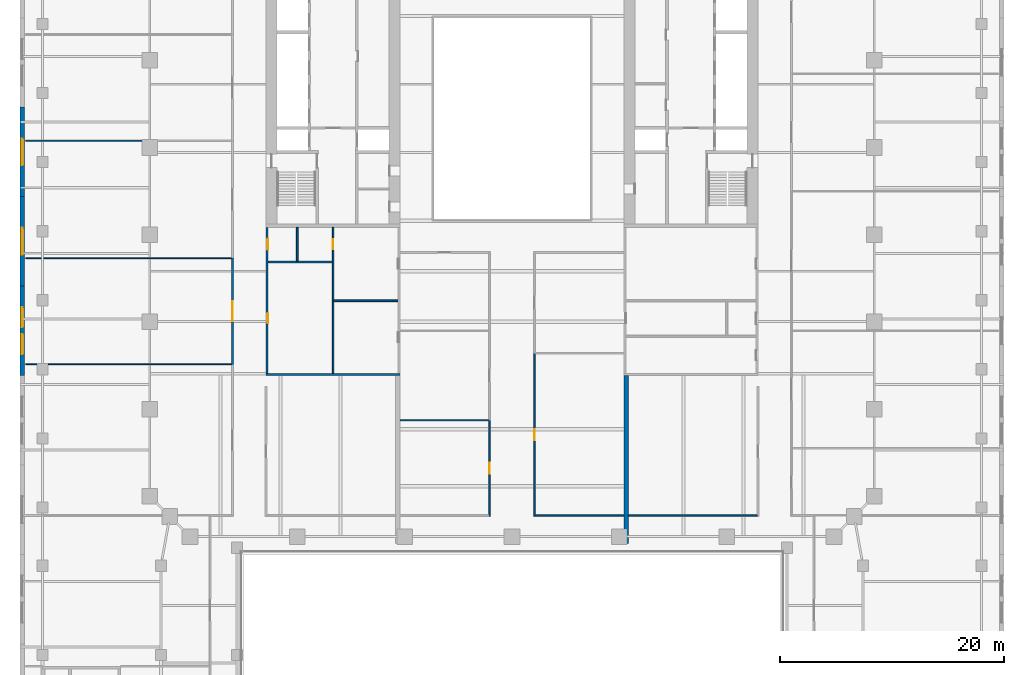
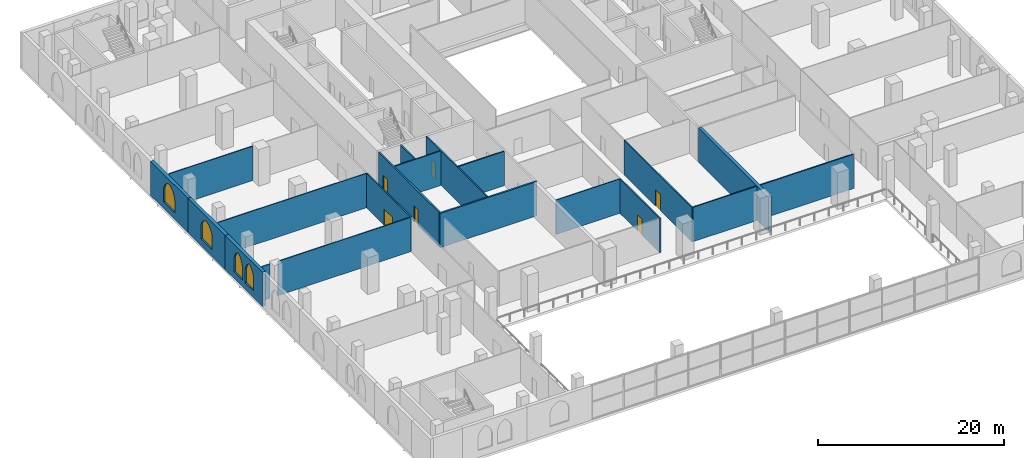
# One storey, part 9 of 19: 20 walls, 6 doors, 4 windows, 10 openings.
"""IFC4 building model written with IfcOpenShell, lengths in metres."""

from ifc_helpers import new_model, si_unit, direction, frame, frame_2d, origin, place, context, subcontext, project, spatial, polyline, rectangle, outline, extrude, material, layer, layer_set, type_object, element, fill, save


model = new_model("IFC4")

# Units and contexts
model_context = context("Model", 3, precision=1e-05, world=origin(), true_north=direction((0.0, 1.0)))
body_context = subcontext(model_context, "Body", "Model", "MODEL_VIEW")
ifc_project = project(units=[si_unit("LENGTHUNIT", "METRE"), si_unit("AREAUNIT", "SQUARE_METRE"), si_unit("VOLUMEUNIT", "CUBIC_METRE"), si_unit("PLANEANGLEUNIT", "RADIAN"), si_unit("MASSUNIT", "GRAM", prefix="KILO")], contexts=[model_context])

# Site, building, storey
site_placement = place(None, origin())
site = spatial("IfcSite", under=ifc_project, at=site_placement, CompositionType="ELEMENT")
building_placement = place(site_placement, origin())
building = spatial("IfcBuilding", under=site, at=building_placement, Name="Ogive Exchange Tower", CompositionType="ELEMENT")
storey_placement = place(building_placement, frame((0.0, 0.0, 24.0)))
storey = spatial("IfcBuildingStorey", under=building, at=storey_placement, Name="L04", CompositionType="ELEMENT", Elevation=24.0)

# Wall
ifc_material_1 = material(Name="Concrete C70/85", Category="concrete")
ifc_layer_1 = layer(ifc_material_1, 0.39990234375)
ifc_layer_set_1 = layer_set([ifc_layer_1], Name="Concrete C70/85 spine wall 400")
wall_type_1 = type_object("IfcWallType", Name="Concrete C70/85 spine wall 400", PredefinedType="SHEAR", material=ifc_layer_set_1)
wall_1_placement = place(storey_placement, frame((10.199951171875, -31.0, 0.0), z_axis=(0.0, 0.0, 1.0), x_axis=(0.0, 1.0, 0.0)))
element("IfcWall", 1, at=wall_1_placement, inside=storey, type_object=wall_type_1, Name="Spine wall SE", PredefinedType="SHEAR", context=body_context, shape_type="SweptSolid", body=[
    extrude(rectangle(XDim=15.0, YDim=0.39990234375, at=frame_2d((7.5, 0.0))), origin(), (0.0, 0.0, 1.0), 4.5),
])

# Wall, opening, door
ifc_material_2 = material(Name="Gypsum board partition")
ifc_layer_2 = layer(ifc_material_2, 0.14990234375)
ifc_layer_set_2 = layer_set([ifc_layer_2], Name="Core room partition 150 gypsum")
wall_type_2 = type_object("IfcWallType", Name="Core room partition 150 gypsum", PredefinedType="PARTITIONING", material=ifc_layer_set_2)
wall_2_placement = place(storey_placement, frame((-16.0, -15.800048828125, 0.0), z_axis=(0.0, 0.0, 1.0), x_axis=(0.0, 1.0, 0.0)))
wall_2 = element("IfcWall", 2, at=wall_2_placement, inside=storey, type_object=wall_type_2, Name="W annex S column wall", PredefinedType="PARTITIONING", context=body_context, shape_type="SweptSolid", body=[
    extrude(rectangle(XDim=13.050048828125, YDim=0.14990234375, at=frame_2d((6.52490234375, 0.0))), origin(), (0.0, 0.0, 1.0), 4.5),
])
opening_1_placement = place(wall_2_placement, frame((11.08740234375, 0.0, 0.0)))
opening_1 = element("IfcOpeningElement", 3, at=opening_1_placement, cuts=wall_2, Name="Opening L04-C20", PredefinedType="OPENING", context=body_context, shape_type="SweptSolid", body=[
    extrude(rectangle(XDim=0.89990234375, YDim=2.10009765625, at=frame_2d((0.449951171875, 1.050048828125))), frame((0.0, 0.0849609375, 0.0), z_axis=(0.0, -1.0, 0.0), x_axis=(1.0, 0.0, 0.0)), (0.0, 0.0, 1.0), 0.169921875),
])
ifc_material_3 = material(Name="Steel fire door", Category="steel")
door_type_1 = type_object("IfcDoorType", Name="Riser door FD60 900 x 2100", OperationType="NOTDEFINED", PredefinedType="DOOR", material=ifc_material_3)
door_1_placement = place(opening_1_placement, origin())
door_1 = element("IfcDoor", 4, at=door_1_placement, inside=storey, type_object=door_type_1, Name="Riser door", ObjectType="CD2", OperationType="SINGLE_SWING_LEFT", OverallHeight=2.10009765625, OverallWidth=0.89990234375, PredefinedType="DOOR", context=body_context, shape_type="SweptSolid", body=[
    extrude(rectangle(XDim=0.89990234375, YDim=2.10009765625, at=frame_2d((0.449951171875, 1.050048828125))), frame((0.0, 0.02490234375, 0.0), z_axis=(0.0, -1.0, 0.0), x_axis=(1.0, 0.0, 0.0)), (0.0, 0.0, 1.0), 0.050048828125),
])
fill(opening_1, door_1)

# Walls
wall_3_placement = place(storey_placement, frame((-16.0, -9.300048828125, 0.0), z_axis=(0.0, 0.0, 1.0), x_axis=(1.0, 0.0, 0.0)))
element("IfcWall", 5, at=wall_3_placement, inside=storey, type_object=wall_type_2, Name="W annex S cross wall", PredefinedType="PARTITIONING", context=body_context, shape_type="SweptSolid", body=[
    extrude(rectangle(XDim=5.800048828125, YDim=0.14990234375, at=frame_2d((2.89990234375, 0.0))), origin(), (0.0, 0.0, 1.0), 4.5),
])
wall_4_placement = place(storey_placement, frame((-21.800048828125, -5.85009765625, 0.0), z_axis=(0.0, 0.0, 1.0), x_axis=(1.0, 0.0, 0.0)))
element("IfcWall", 6, at=wall_4_placement, inside=storey, type_object=wall_type_2, Name="W annex S wc strip wall 00", PredefinedType="PARTITIONING", context=body_context, shape_type="SweptSolid", body=[
    extrude(rectangle(XDim=5.72509765625, YDim=0.14990234375, at=frame_2d((2.862548828125, 0.0))), origin(), (0.0, 0.0, 1.0), 4.5),
])
wall_5_placement = place(storey_placement, frame((-19.199951171875, -5.77490234375, 0.0), z_axis=(0.0, 0.0, 1.0), x_axis=(0.0, 1.0, 0.0)))
element("IfcWall", 7, at=wall_5_placement, inside=storey, type_object=wall_type_2, Name="W annex S wc partition 00", PredefinedType="PARTITIONING", context=body_context, shape_type="SweptSolid", body=[
    extrude(rectangle(XDim=3.02490234375, YDim=0.14990234375, at=frame_2d((1.512451171875, 0.0))), origin(), (0.0, 0.0, 1.0), 4.5),
])
ifc_material_4 = material(Name="Fire partition EI 60 150")
ifc_layer_3 = layer(ifc_material_4, 0.14990234375)
ifc_layer_set_3 = layer_set([ifc_layer_3], Name="Fire partition EI 60 150")
wall_type_3 = type_object("IfcWallType", Name="Fire partition EI 60 150", PredefinedType="PARTITIONING", material=ifc_layer_set_3)
wall_6_placement = place(storey_placement, frame((2.074951171875, -28.5, 0.0), z_axis=(0.0, 0.0, 1.0), x_axis=(1.0, 0.0, 0.0)))
element("IfcWall", 8, at=wall_6_placement, inside=storey, type_object=wall_type_3, Name="L04-PWL-010", PredefinedType="PARTITIONING", context=body_context, shape_type="SweptSolid", body=[
    extrude(rectangle(XDim=7.925048828125, YDim=0.14990234375, at=frame_2d((3.96240234375, 0.0))), origin(), (0.0, 0.0, 1.0), 4.5),
])
wall_7_placement = place(storey_placement, frame((10.39990234375, -28.5, 0.0), z_axis=(0.0, 0.0, 1.0), x_axis=(1.0, 0.0, 0.0)))
element("IfcWall", 9, at=wall_7_placement, inside=storey, type_object=wall_type_3, Name="L04-PWL-011", PredefinedType="PARTITIONING", context=body_context, shape_type="SweptSolid", body=[
    extrude(rectangle(XDim=11.525146484375, YDim=0.14990234375, at=frame_2d((5.7626953125, 0.0))), origin(), (0.0, 0.0, 1.0), 4.5),
])

# Wall, opening, door
wall_8_placement = place(storey_placement, frame((-25.0, -15.0, 0.0), z_axis=(0.0, 0.0, 1.0), x_axis=(0.0, 1.0, 0.0)))
wall_8 = element("IfcWall", 10, at=wall_8_placement, inside=storey, type_object=wall_type_3, Name="L04-PWL-045", PredefinedType="PARTITIONING", context=body_context, shape_type="SweptSolid", body=[
    extrude(rectangle(XDim=9.5, YDim=0.14990234375, at=frame_2d((4.75, 0.0))), origin(), (0.0, 0.0, 1.0), 4.5),
])
opening_2_placement = place(wall_8_placement, frame((3.85009765625, 0.0, 0.0)))
opening_2 = element("IfcOpeningElement", 11, at=opening_2_placement, cuts=wall_8, Name="Opening L04-I04", PredefinedType="OPENING", context=body_context, shape_type="SweptSolid", body=[
    extrude(rectangle(XDim=1.800048828125, YDim=2.10009765625, at=frame_2d((0.89990234375, 1.050048828125))), frame((0.0, 0.0849609375, 0.0), z_axis=(0.0, -1.0, 0.0), x_axis=(1.0, 0.0, 0.0)), (0.0, 0.0, 1.0), 0.169921875),
])
ifc_material_5 = material(Name="Fire door FD 30S 1800 x 2100")
door_type_2 = type_object("IfcDoorType", Name="Fire door FD 30S 1800 x 2100", OperationType="DOUBLE_DOOR_SINGLE_SWING", PredefinedType="DOOR", material=ifc_material_5)
door_2_placement = place(opening_2_placement, origin())
door_2 = element("IfcDoor", 12, at=door_2_placement, inside=storey, type_object=door_type_2, Name="L04-IDR-004", ObjectType="DT4", OperationType="SINGLE_SWING_RIGHT", OverallHeight=2.10009765625, OverallWidth=1.800048828125, PredefinedType="DOOR", context=body_context, shape_type="SweptSolid", body=[
    extrude(rectangle(XDim=1.800048828125, YDim=2.10009765625, at=frame_2d((0.89990234375, 1.050048828125))), frame((0.0, 0.02490234375, 0.0), z_axis=(0.0, -1.0, 0.0), x_axis=(1.0, 0.0, 0.0)), (0.0, 0.0, 1.0), 0.050048828125),
])
fill(opening_2, door_2)

wall_9_placement = place(storey_placement, frame((-2.0, -28.574951171875, 0.0), z_axis=(0.0, 0.0, 1.0), x_axis=(0.0, 1.0, 0.0)))
wall_9 = element("IfcWall", 13, at=wall_9_placement, inside=storey, type_object=wall_type_3, Name="L04-PWL-051", PredefinedType="PARTITIONING", context=body_context, shape_type="SweptSolid", body=[
    extrude(rectangle(XDim=8.574951171875, YDim=0.14990234375, at=frame_2d((4.28759765625, 0.0))), origin(), (0.0, 0.0, 1.0), 4.5),
])
opening_3_placement = place(wall_9_placement, frame((3.78759765625, 0.0, 0.0)))
opening_3 = element("IfcOpeningElement", 14, at=opening_3_placement, cuts=wall_9, Name="Opening L04-I20", PredefinedType="OPENING", context=body_context, shape_type="SweptSolid", body=[
    extrude(rectangle(XDim=1.0, YDim=2.10009765625, at=frame_2d((0.5, 1.050048828125))), frame((0.0, 0.0849609375, 0.0), z_axis=(0.0, -1.0, 0.0), x_axis=(1.0, 0.0, 0.0)), (0.0, 0.0, 1.0), 0.169921875),
])
ifc_material_6 = material(Name="Fire door FD 30S 1000 x 2100")
door_type_3 = type_object("IfcDoorType", Name="Fire door FD 30S 1000 x 2100", OperationType="NOTDEFINED", PredefinedType="DOOR", material=ifc_material_6)
door_3_placement = place(opening_3_placement, origin())
door_3 = element("IfcDoor", 15, at=door_3_placement, inside=storey, type_object=door_type_3, Name="L04-IDR-020", ObjectType="DT3", OperationType="SINGLE_SWING_LEFT", OverallHeight=2.10009765625, OverallWidth=1.0, PredefinedType="DOOR", context=body_context, shape_type="SweptSolid", body=[
    extrude(rectangle(XDim=1.0, YDim=2.10009765625, at=frame_2d((0.5, 1.050048828125))), frame((0.0, 0.02490234375, 0.0), z_axis=(0.0, -1.0, 0.0), x_axis=(1.0, 0.0, 0.0)), (0.0, 0.0, 1.0), 0.050048828125),
])
fill(opening_3, door_3)

wall_10_placement = place(storey_placement, frame((2.0, -28.574951171875, 0.0), z_axis=(0.0, 0.0, 1.0), x_axis=(0.0, 1.0, 0.0)))
wall_10 = element("IfcWall", 16, at=wall_10_placement, inside=storey, type_object=wall_type_3, Name="L04-PWL-055", PredefinedType="PARTITIONING", context=body_context, shape_type="SweptSolid", body=[
    extrude(rectangle(XDim=14.574951171875, YDim=0.14990234375, at=frame_2d((7.28759765625, 0.0))), origin(), (0.0, 0.0, 1.0), 4.5),
])
opening_4_placement = place(wall_10_placement, frame((6.78759765625, 0.0, 0.0)))
opening_4 = element("IfcOpeningElement", 17, at=opening_4_placement, cuts=wall_10, Name="Opening L04-I23", PredefinedType="OPENING", context=body_context, shape_type="SweptSolid", body=[
    extrude(rectangle(XDim=1.0, YDim=2.10009765625, at=frame_2d((0.5, 1.050048828125))), frame((0.0, 0.0849609375, 0.0), z_axis=(0.0, -1.0, 0.0), x_axis=(1.0, 0.0, 0.0)), (0.0, 0.0, 1.0), 0.169921875),
])
door_4_placement = place(opening_4_placement, origin())
door_4 = element("IfcDoor", 18, at=door_4_placement, inside=storey, type_object=door_type_3, Name="L04-IDR-023", ObjectType="DT3", OperationType="SINGLE_SWING_LEFT", OverallHeight=2.10009765625, OverallWidth=1.0, PredefinedType="DOOR", context=body_context, shape_type="SweptSolid", body=[
    extrude(rectangle(XDim=1.0, YDim=2.10009765625, at=frame_2d((0.5, 1.050048828125))), frame((0.0, 0.02490234375, 0.0), z_axis=(0.0, -1.0, 0.0), x_axis=(1.0, 0.0, 0.0)), (0.0, 0.0, 1.0), 0.050048828125),
])
fill(opening_4, door_4)

# Wall, opening, window
ifc_material_7 = material(Name="Precast concrete C40/50", Category="concrete")
ifc_layer_4 = layer(ifc_material_7, 0.39990234375)
ifc_layer_set_4 = layer_set([ifc_layer_4], Name="Limestone-faced wall 400")
wall_type_4 = type_object("IfcWallType", Name="Limestone-faced wall 400", PredefinedType="STANDARD", material=ifc_layer_set_4)
wall_11_placement = place(storey_placement, frame((-43.800048828125, 8.0, 0.0), z_axis=(0.0, 0.0, 1.0), x_axis=(0.0, -1.0, 0.0)))
wall_11 = element("IfcWall", 19, at=wall_11_placement, inside=storey, type_object=wall_type_4, Name="Podium wall W5", PredefinedType="STANDARD", context=body_context, shape_type="SweptSolid", body=[
    extrude(rectangle(XDim=8.0, YDim=0.39990234375, at=frame_2d((4.0, 0.0))), origin(), (0.0, 0.0, 1.0), 4.5),
])
opening_5_placement = place(wall_11_placement, frame((2.800048828125, 0.0, 0.89990234375)))
opening_5 = element("IfcOpeningElement", 20, at=opening_5_placement, cuts=wall_11, Name="Opening WP300", PredefinedType="OPENING", context=body_context, shape_type="SweptSolid", body=[
    extrude(outline(polyline([(0.0, 0.0), (2.39990234375, 0.0), (2.39990234375, 1.5), (2.378173828125, 1.758056640625), (2.313232421875, 2.009033203125), (2.207275390625, 2.245361328125), (2.06298828125, 2.46044921875), (1.884765625, 2.6484375), (1.677490234375, 2.8037109375), (1.447021484375, 2.922119140625), (1.199951171875, 3.0), (0.952880859375, 2.922119140625), (0.722412109375, 2.8037109375), (0.51513671875, 2.6484375), (0.3369140625, 2.46044921875), (0.192626953125, 2.245361328125), (0.086669921875, 2.009033203125), (0.021728515625, 1.758056640625), (0.0, 1.5), (0.0, 0.0)])), frame((0.0, 0.2099609375, 0.0), z_axis=(0.0, -1.0, 0.0), x_axis=(1.0, 0.0, 0.0)), (0.0, 0.0, 1.0), 0.419921875),
])
ifc_material_8 = material(Name="Clear glass in bronze frame", Category="glass")
window_type_1 = type_object("IfcWindowType", Name="Podium lancet window 2400 x 3000", PartitioningType="DOUBLE_PANEL_VERTICAL", PredefinedType="WINDOW", material=ifc_material_8)
window_1_placement = place(opening_5_placement, origin())
window_1 = element("IfcWindow", 21, at=window_1_placement, inside=storey, type_object=window_type_1, Name="Podium window W5", OverallHeight=3.0, OverallWidth=2.39990234375, PartitioningType="DOUBLE_PANEL_VERTICAL", PredefinedType="WINDOW", context=body_context, shape_type="SweptSolid", body=[
    extrude(outline(polyline([(0.0, 0.0), (2.39990234375, 0.0), (2.39990234375, 1.5), (2.378173828125, 1.758056640625), (2.313232421875, 2.009033203125), (2.207275390625, 2.245361328125), (2.06298828125, 2.46044921875), (1.884765625, 2.6484375), (1.677490234375, 2.8037109375), (1.447021484375, 2.922119140625), (1.199951171875, 3.0), (0.952880859375, 2.922119140625), (0.722412109375, 2.8037109375), (0.51513671875, 2.6484375), (0.3369140625, 2.46044921875), (0.192626953125, 2.245361328125), (0.086669921875, 2.009033203125), (0.021728515625, 1.758056640625), (0.0, 1.5), (0.0, 0.0)])), frame((0.0, 0.030029296875, 0.0), z_axis=(0.0, -1.0, 0.0), x_axis=(1.0, 0.0, 0.0)), (0.0, 0.0, 1.0), 0.06005859375),
])
fill(opening_5, window_1)

wall_12_placement = place(storey_placement, frame((-43.800048828125, 0.0, 0.0), z_axis=(0.0, 0.0, 1.0), x_axis=(0.0, -1.0, 0.0)))
wall_12 = element("IfcWall", 22, at=wall_12_placement, inside=storey, type_object=wall_type_4, Name="Podium wall W6", PredefinedType="STANDARD", context=body_context, shape_type="SweptSolid", body=[
    extrude(rectangle(XDim=8.0, YDim=0.39990234375, at=frame_2d((4.0, 0.0))), origin(), (0.0, 0.0, 1.0), 4.5),
])
opening_6_placement = place(wall_12_placement, frame((2.800048828125, 0.0, 0.89990234375)))
opening_6 = element("IfcOpeningElement", 23, at=opening_6_placement, cuts=wall_12, Name="Opening WP300", PredefinedType="OPENING", context=body_context, shape_type="SweptSolid", body=[
    extrude(outline(polyline([(0.0, 0.0), (2.39990234375, 0.0), (2.39990234375, 1.5), (2.378173828125, 1.758056640625), (2.313232421875, 2.009033203125), (2.207275390625, 2.245361328125), (2.06298828125, 2.46044921875), (1.884765625, 2.6484375), (1.677490234375, 2.8037109375), (1.447021484375, 2.922119140625), (1.199951171875, 3.0), (0.952880859375, 2.922119140625), (0.722412109375, 2.8037109375), (0.51513671875, 2.6484375), (0.3369140625, 2.46044921875), (0.192626953125, 2.245361328125), (0.086669921875, 2.009033203125), (0.021728515625, 1.758056640625), (0.0, 1.5), (0.0, 0.0)])), frame((0.0, 0.2099609375, 0.0), z_axis=(0.0, -1.0, 0.0), x_axis=(1.0, 0.0, 0.0)), (0.0, 0.0, 1.0), 0.419921875),
])
window_2_placement = place(opening_6_placement, origin())
window_2 = element("IfcWindow", 24, at=window_2_placement, inside=storey, type_object=window_type_1, Name="Podium window W6", OverallHeight=3.0, OverallWidth=2.39990234375, PartitioningType="DOUBLE_PANEL_VERTICAL", PredefinedType="WINDOW", context=body_context, shape_type="SweptSolid", body=[
    extrude(outline(polyline([(0.0, 0.0), (2.39990234375, 0.0), (2.39990234375, 1.5), (2.378173828125, 1.758056640625), (2.313232421875, 2.009033203125), (2.207275390625, 2.245361328125), (2.06298828125, 2.46044921875), (1.884765625, 2.6484375), (1.677490234375, 2.8037109375), (1.447021484375, 2.922119140625), (1.199951171875, 3.0), (0.952880859375, 2.922119140625), (0.722412109375, 2.8037109375), (0.51513671875, 2.6484375), (0.3369140625, 2.46044921875), (0.192626953125, 2.245361328125), (0.086669921875, 2.009033203125), (0.021728515625, 1.758056640625), (0.0, 1.5), (0.0, 0.0)])), frame((0.0, 0.030029296875, 0.0), z_axis=(0.0, -1.0, 0.0), x_axis=(1.0, 0.0, 0.0)), (0.0, 0.0, 1.0), 0.06005859375),
])
fill(opening_6, window_2)

# Wall, openings, windows
wall_13_placement = place(storey_placement, frame((-43.800048828125, -8.0, 0.0), z_axis=(0.0, 0.0, 1.0), x_axis=(0.0, -1.0, 0.0)))
wall_13 = element("IfcWall", 25, at=wall_13_placement, inside=storey, type_object=wall_type_4, Name="Podium wall W7", PredefinedType="STANDARD", context=body_context, shape_type="SweptSolid", body=[
    extrude(rectangle(XDim=8.0, YDim=0.39990234375, at=frame_2d((4.0, 0.0))), origin(), (0.0, 0.0, 1.0), 4.5),
])
opening_7_placement = place(wall_13_placement, frame((1.89990234375, 0.0, 0.89990234375)))
opening_7 = element("IfcOpeningElement", 26, at=opening_7_placement, cuts=wall_13, Name="Opening WQ300", PredefinedType="OPENING", context=body_context, shape_type="SweptSolid", body=[
    extrude(outline(polyline([(0.0, 0.0), (1.800048828125, 0.0), (1.800048828125, 1.5), (1.78466796875, 1.72900390625), (1.73828125, 1.953857421875), (1.662353515625, 2.17041015625), (1.557861328125, 2.374755859375), (1.4267578125, 2.56298828125), (1.271484375, 2.73193359375), (1.0947265625, 2.878662109375), (0.89990234375, 3.0), (0.705322265625, 2.878662109375), (0.528564453125, 2.73193359375), (0.373291015625, 2.56298828125), (0.2421875, 2.374755859375), (0.1376953125, 2.17041015625), (0.061767578125, 1.953857421875), (0.015380859375, 1.72900390625), (0.0, 1.5), (0.0, 0.0)])), frame((0.0, 0.2099609375, 0.0), z_axis=(0.0, -1.0, 0.0), x_axis=(1.0, 0.0, 0.0)), (0.0, 0.0, 1.0), 0.419921875),
])
opening_8_placement = place(wall_13_placement, frame((4.300048828125, 0.0, 0.89990234375)))
opening_8 = element("IfcOpeningElement", 27, at=opening_8_placement, cuts=wall_13, Name="Opening WQ300", PredefinedType="OPENING", context=body_context, shape_type="SweptSolid", body=[
    extrude(outline(polyline([(0.0, 0.0), (1.800048828125, 0.0), (1.800048828125, 1.5), (1.78466796875, 1.72900390625), (1.73828125, 1.953857421875), (1.662353515625, 2.17041015625), (1.557861328125, 2.374755859375), (1.4267578125, 2.56298828125), (1.271484375, 2.73193359375), (1.0947265625, 2.878662109375), (0.89990234375, 3.0), (0.705322265625, 2.878662109375), (0.528564453125, 2.73193359375), (0.373291015625, 2.56298828125), (0.2421875, 2.374755859375), (0.1376953125, 2.17041015625), (0.061767578125, 1.953857421875), (0.015380859375, 1.72900390625), (0.0, 1.5), (0.0, 0.0)])), frame((0.0, 0.2099609375, 0.0), z_axis=(0.0, -1.0, 0.0), x_axis=(1.0, 0.0, 0.0)), (0.0, 0.0, 1.0), 0.419921875),
])
window_type_2 = type_object("IfcWindowType", Name="Podium paired lancet 1800 x 3000", PartitioningType="DOUBLE_PANEL_VERTICAL", PredefinedType="WINDOW", material=ifc_material_8)
window_3_placement = place(opening_7_placement, origin())
window_3 = element("IfcWindow", 28, at=window_3_placement, inside=storey, type_object=window_type_2, Name="Podium paired lancet W7.1", OverallHeight=3.0, OverallWidth=1.800048828125, PartitioningType="DOUBLE_PANEL_VERTICAL", PredefinedType="WINDOW", context=body_context, shape_type="SweptSolid", body=[
    extrude(outline(polyline([(0.0, 0.0), (1.800048828125, 0.0), (1.800048828125, 1.5), (1.78466796875, 1.72900390625), (1.73828125, 1.953857421875), (1.662353515625, 2.17041015625), (1.557861328125, 2.374755859375), (1.4267578125, 2.56298828125), (1.271484375, 2.73193359375), (1.0947265625, 2.878662109375), (0.89990234375, 3.0), (0.705322265625, 2.878662109375), (0.528564453125, 2.73193359375), (0.373291015625, 2.56298828125), (0.2421875, 2.374755859375), (0.1376953125, 2.17041015625), (0.061767578125, 1.953857421875), (0.015380859375, 1.72900390625), (0.0, 1.5), (0.0, 0.0)])), frame((0.0, 0.030029296875, 0.0), z_axis=(0.0, -1.0, 0.0), x_axis=(1.0, 0.0, 0.0)), (0.0, 0.0, 1.0), 0.06005859375),
])
fill(opening_7, window_3)
window_4_placement = place(opening_8_placement, origin())
window_4 = element("IfcWindow", 29, at=window_4_placement, inside=storey, type_object=window_type_2, Name="Podium paired lancet W7.2", OverallHeight=3.0, OverallWidth=1.800048828125, PartitioningType="DOUBLE_PANEL_VERTICAL", PredefinedType="WINDOW", context=body_context, shape_type="SweptSolid", body=[
    extrude(outline(polyline([(0.0, 0.0), (1.800048828125, 0.0), (1.800048828125, 1.5), (1.78466796875, 1.72900390625), (1.73828125, 1.953857421875), (1.662353515625, 2.17041015625), (1.557861328125, 2.374755859375), (1.4267578125, 2.56298828125), (1.271484375, 2.73193359375), (1.0947265625, 2.878662109375), (0.89990234375, 3.0), (0.705322265625, 2.878662109375), (0.528564453125, 2.73193359375), (0.373291015625, 2.56298828125), (0.2421875, 2.374755859375), (0.1376953125, 2.17041015625), (0.061767578125, 1.953857421875), (0.015380859375, 1.72900390625), (0.0, 1.5), (0.0, 0.0)])), frame((0.0, 0.030029296875, 0.0), z_axis=(0.0, -1.0, 0.0), x_axis=(1.0, 0.0, 0.0)), (0.0, 0.0, 1.0), 0.06005859375),
])
fill(opening_8, window_4)

# Walls
ifc_material_9 = material(Name="Partition 100 gypsum")
ifc_layer_5 = layer(ifc_material_9, 0.10009765625)
ifc_layer_set_5 = layer_set([ifc_layer_5], Name="Partition 100 gypsum")
wall_type_5 = type_object("IfcWallType", Name="Partition 100 gypsum", PredefinedType="PARTITIONING", material=ifc_layer_set_5)
wall_14_placement = place(storey_placement, frame((-10.0, -20.0, 0.0), z_axis=(0.0, 0.0, 1.0), x_axis=(1.0, 0.0, 0.0)))
element("IfcWall", 30, at=wall_14_placement, inside=storey, type_object=wall_type_5, Name="L04-PWL-016", PredefinedType="PARTITIONING", context=body_context, shape_type="SweptSolid", body=[
    extrude(rectangle(XDim=7.925048828125, YDim=0.10009765625, at=frame_2d((3.96240234375, 0.0))), origin(), (0.0, 0.0, 1.0), 4.5),
])
wall_15_placement = place(storey_placement, frame((-43.5, -15.0, 0.0), z_axis=(0.0, 0.0, 1.0), x_axis=(1.0, 0.0, 0.0)))
element("IfcWall", 31, at=wall_15_placement, inside=storey, type_object=wall_type_5, Name="L04-PWL-017", PredefinedType="PARTITIONING", context=body_context, shape_type="SweptSolid", body=[
    extrude(rectangle(XDim=1.0, YDim=0.10009765625, at=frame_2d((0.5, 0.0))), origin(), (0.0, 0.0, 1.0), 4.5),
])
wall_16_placement = place(storey_placement, frame((-41.5, -15.0, 0.0), z_axis=(0.0, 0.0, 1.0), x_axis=(1.0, 0.0, 0.0)))
element("IfcWall", 32, at=wall_16_placement, inside=storey, type_object=wall_type_5, Name="L04-PWL-018", PredefinedType="PARTITIONING", context=body_context, shape_type="SweptSolid", body=[
    extrude(rectangle(XDim=16.425048828125, YDim=0.10009765625, at=frame_2d((8.21240234375, 0.0))), origin(), (0.0, 0.0, 1.0), 4.5),
])
wall_17_placement = place(storey_placement, frame((-43.5, -5.5, 0.0), z_axis=(0.0, 0.0, 1.0), x_axis=(1.0, 0.0, 0.0)))
element("IfcWall", 33, at=wall_17_placement, inside=storey, type_object=wall_type_5, Name="L04-PWL-022", PredefinedType="PARTITIONING", context=body_context, shape_type="SweptSolid", body=[
    extrude(rectangle(XDim=18.425048828125, YDim=0.10009765625, at=frame_2d((9.21240234375, 0.0))), origin(), (0.0, 0.0, 1.0), 4.5),
])
wall_18_placement = place(storey_placement, frame((-43.5, 5.0, 0.0), z_axis=(0.0, 0.0, 1.0), x_axis=(1.0, 0.0, 0.0)))
element("IfcWall", 34, at=wall_18_placement, inside=storey, type_object=wall_type_5, Name="L04-PWL-026", PredefinedType="PARTITIONING", context=body_context, shape_type="SweptSolid", body=[
    extrude(rectangle(XDim=10.39990234375, YDim=0.10009765625, at=frame_2d((5.199951171875, 0.0))), origin(), (0.0, 0.0, 1.0), 4.5),
])

# Wall, openings, doors
ifc_layer_6 = layer(ifc_material_1, 0.199951171875)
ifc_layer_set_6 = layer_set([ifc_layer_6], Name="RC core wall 200 C70/85")
wall_type_6 = type_object("IfcWallType", Name="RC core wall 200 C70/85", PredefinedType="SHEAR", material=ifc_layer_set_6)
wall_19_placement = place(storey_placement, frame((-21.89990234375, -15.800048828125, 0.0), z_axis=(0.0, 0.0, 1.0), x_axis=(0.0, 1.0, 0.0)))
wall_19 = element("IfcWall", 35, at=wall_19_placement, inside=storey, type_object=wall_type_6, Name="W annex S outer wall", PredefinedType="SHEAR", context=body_context, shape_type="SweptSolid", body=[
    extrude(rectangle(XDim=13.050048828125, YDim=0.199951171875, at=frame_2d((6.52490234375, 0.0))), origin(), (0.0, 0.0, 1.0), 4.5),
])
opening_9_placement = place(wall_19_placement, frame((4.487548828125, 0.0, 0.0)))
opening_9 = element("IfcOpeningElement", 36, at=opening_9_placement, cuts=wall_19, Name="Opening L04-C18", PredefinedType="OPENING", context=body_context, shape_type="SweptSolid", body=[
    extrude(rectangle(XDim=0.89990234375, YDim=2.10009765625, at=frame_2d((0.449951171875, 1.050048828125))), frame((0.0, 0.10986328125, 0.0), z_axis=(0.0, -1.0, 0.0), x_axis=(1.0, 0.0, 0.0)), (0.0, 0.0, 1.0), 0.219970703125),
])
opening_10_placement = place(wall_19_placement, frame((11.03759765625, 0.0, 0.0)))
opening_10 = element("IfcOpeningElement", 37, at=opening_10_placement, cuts=wall_19, Name="Opening L04-C19", PredefinedType="OPENING", context=body_context, shape_type="SweptSolid", body=[
    extrude(rectangle(XDim=1.0, YDim=2.10009765625, at=frame_2d((0.5, 1.050048828125))), frame((0.0, 0.10986328125, 0.0), z_axis=(0.0, -1.0, 0.0), x_axis=(1.0, 0.0, 0.0)), (0.0, 0.0, 1.0), 0.219970703125),
])
ifc_material_10 = material(Name="Timber fire door", Category="wood")
door_type_4 = type_object("IfcDoorType", Name="Accessible WC door FD30S 1000 x 2100", OperationType="NOTDEFINED", PredefinedType="DOOR", material=ifc_material_10)
door_5_placement = place(opening_10_placement, frame((1.0, -0.14990234375, 0.0), z_axis=(0.0, 0.0, 1.0), x_axis=(-1.0, 0.0, 0.0)))
door_5 = element("IfcDoor", 38, at=door_5_placement, inside=storey, type_object=door_type_4, Name="Accessible WC door", ObjectType="CD7", OperationType="SINGLE_SWING_LEFT", OverallHeight=2.10009765625, OverallWidth=1.0, PredefinedType="DOOR", context=body_context, shape_type="SweptSolid", body=[
    extrude(rectangle(XDim=1.0, YDim=2.10009765625, at=frame_2d((0.5, 1.050048828125))), frame((0.0, -0.0498046875, 0.0), z_axis=(0.0, -1.0, 0.0), x_axis=(1.0, 0.0, 0.0)), (0.0, 0.0, 1.0), 0.050048828125),
])
fill(opening_10, door_5)
door_type_5 = type_object("IfcDoorType", Name="Core room door FD30S 900 x 2100", OperationType="NOTDEFINED", PredefinedType="DOOR", material=ifc_material_10)
door_6_placement = place(opening_9_placement, frame((0.89990234375, -0.14990234375, 0.0), z_axis=(0.0, 0.0, 1.0), x_axis=(-1.0, 0.0, 0.0)))
door_6 = element("IfcDoor", 39, at=door_6_placement, inside=storey, type_object=door_type_5, Name="Core room door", ObjectType="CD6", OperationType="SINGLE_SWING_LEFT", OverallHeight=2.10009765625, OverallWidth=0.89990234375, PredefinedType="DOOR", context=body_context, shape_type="SweptSolid", body=[
    extrude(rectangle(XDim=0.89990234375, YDim=2.10009765625, at=frame_2d((0.449951171875, 1.050048828125))), frame((0.0, -0.0498046875, 0.0), z_axis=(0.0, -1.0, 0.0), x_axis=(1.0, 0.0, 0.0)), (0.0, 0.0, 1.0), 0.050048828125),
])
fill(opening_9, door_6)

# Wall
wall_20_placement = place(storey_placement, frame((-22.0, -15.89990234375, 0.0), z_axis=(0.0, 0.0, 1.0), x_axis=(1.0, 0.0, 0.0)))
element("IfcWall", 40, at=wall_20_placement, inside=storey, type_object=wall_type_6, Name="W annex S end wall", PredefinedType="SHEAR", context=body_context, shape_type="SweptSolid", body=[
    extrude(rectangle(XDim=12.0, YDim=0.199951171875, at=frame_2d((6.0, 0.0))), origin(), (0.0, 0.0, 1.0), 4.5),
])

save(model, "model.ifc")
